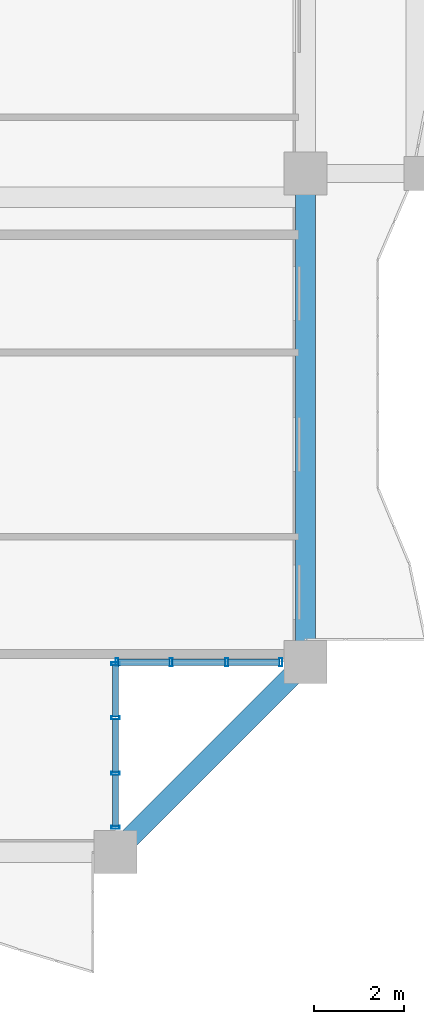
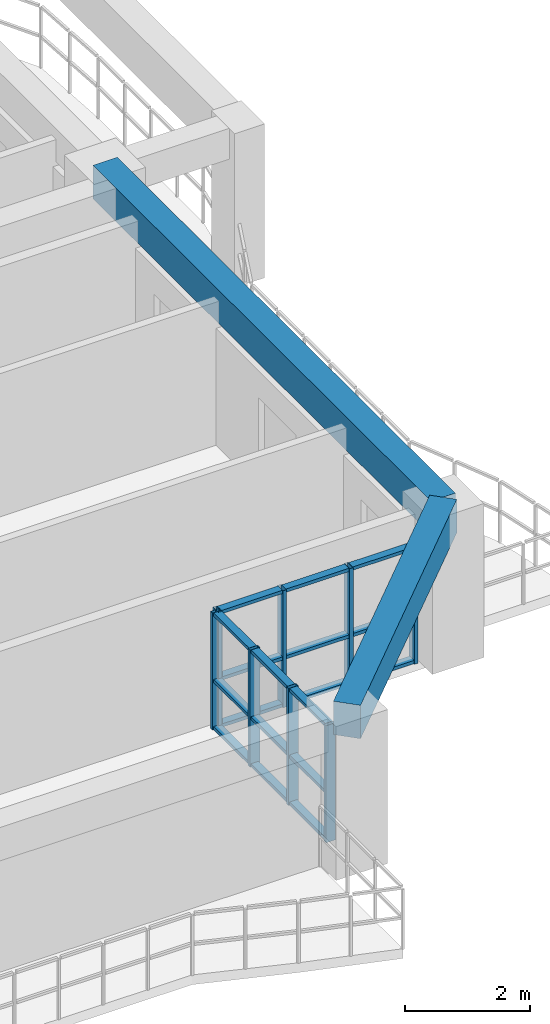
# One storey, part 4 of 24: 26 members, 2 beams, 2 elements without a shape of their own.
"""IFC4 building model written with IfcOpenShell, lengths in metres."""

from ifc_helpers import new_model, si_unit, direction, frame, origin, origin_2d, place, context, subcontext, project, spatial, rectangle, hollow_rectangle, extrude, source, transform, mapped, material, layer, layer_set, material_profile, profile_set, type_object, element, aggregate, save


model = new_model("IFC4")

# Units and contexts
model_context = context("Model", 3, precision=1e-05, world=origin(), true_north=direction((0.0, 1.0)))
body_context = subcontext(model_context, "Body", "Model", "MODEL_VIEW")
ifc_project = project(units=[si_unit("LENGTHUNIT", "METRE"), si_unit("AREAUNIT", "SQUARE_METRE"), si_unit("VOLUMEUNIT", "CUBIC_METRE"), si_unit("PLANEANGLEUNIT", "RADIAN"), si_unit("MASSUNIT", "GRAM", prefix="KILO")], contexts=[model_context])

# Site, building, storey
site_placement = place(None, origin())
site = spatial("IfcSite", under=ifc_project, at=site_placement, CompositionType="ELEMENT")
building_placement = place(site_placement, origin())
building = spatial("IfcBuilding", under=site, at=building_placement, Name="Saelheon Loggia Tower", CompositionType="ELEMENT")
storey_placement = place(building_placement, frame((0.0, 0.0, 98.85009765625)))
storey = spatial("IfcBuildingStorey", under=building, at=storey_placement, Name="L31", CompositionType="ELEMENT", Elevation=98.85009765625)

# Beams
ifc_material_1 = material(Name="Concrete C40/50", Category="concrete")
ifc_material_profile_1 = material_profile(ifc_material_1, rectangle(XDim=0.449951171875, YDim=0.64990234375, at=origin_2d()), Name="RC-450x650")
ifc_profile_set_1 = profile_set([ifc_material_profile_1], Name="Concrete C40/50")
beam_type = type_object("IfcBeamType", Name="Beam_PerimTower_RC450x650", PredefinedType="BEAM", material=ifc_profile_set_1)
shared_shape_1 = source(origin(), body_context, "Body", "SweptSolid", [
    extrude(rectangle(XDim=0.449951171875, YDim=0.64990234375, at=origin_2d()), origin(), (0.0, 0.0, 1.0), 5.939697265625),
])
beam_1_placement = place(storey_placement, frame((59.800048828125, 3.0, 2.6748046875), z_axis=(0.707106781187, 0.707106781187, 0.0), x_axis=(-0.707106781187, 0.707106781187, 0.0)))
element("IfcBeam", 1, at=beam_1_placement, inside=storey, type_object=beam_type, Name="L31 Perimeter Frame Girder 04", PredefinedType="BEAM", context=body_context, shape_type="MappedRepresentation", body=[
    mapped(shared_shape_1, transform((0.0, 0.0, 0.0), scale=1.0)),
])
shared_shape_2 = source(origin(), body_context, "Body", "SweptSolid", [
    extrude(rectangle(XDim=0.449951171875, YDim=0.64990234375, at=origin_2d()), origin(), (0.0, 0.0, 1.0), 10.800048828125),
])
beam_2_placement = place(storey_placement, frame((64.0, 7.199951171875, 2.6748046875), z_axis=(0.0, 1.0, 0.0), x_axis=(-1.0, 0.0, 0.0)))
element("IfcBeam", 2, at=beam_2_placement, inside=storey, type_object=beam_type, Name="L31 Perimeter Frame Girder 05", PredefinedType="BEAM", context=body_context, shape_type="MappedRepresentation", body=[
    mapped(shared_shape_2, transform((0.0, 0.0, 0.0), scale=1.0)),
])

# Curtain wall, members
ifc_material_2 = material(Name="Thermal-Break Aluminium and Triple Low-E Glass", Category="aluminium")
ifc_layer = layer(ifc_material_2, 0.159912109375)
ifc_layer_set = layer_set([ifc_layer], Name="Thermal-Break Aluminium and Triple Low-E Glass")
curtain_wall_type = type_object("IfcCurtainWallType", Name="CW_TowerLoggiaLow", PredefinedType="NOTDEFINED", material=ifc_layer_set)
curtain_wall_1_placement = place(storey_placement, origin())
curtain_wall_1 = element("IfcCurtainWall", 3, at=curtain_wall_1_placement, inside=storey, type_object=curtain_wall_type, Name="L31 Corner Notch Glazing SE1", PredefinedType="NOTDEFINED")
ifc_material_3 = material(Name="Anodised Aluminium 6063-T6", Category="aluminium")
ifc_material_profile_2 = material_profile(ifc_material_3, hollow_rectangle(XDim=0.06494140625, YDim=0.179931640625, WallThickness=0.00390625, at=origin_2d()), Name="RHS-180x65x4")
ifc_profile_set_2 = profile_set([ifc_material_profile_2], Name="Anodised Aluminium 6063-T6")
member_type_1 = type_object("IfcMemberType", Name="CW_TowerLoggiaLow_Mullion", PredefinedType="MULLION", material=ifc_profile_set_2)
shared_shape_3 = source(origin(), body_context, "Body", "SweptSolid", [
    extrude(hollow_rectangle(XDim=0.06494140625, YDim=0.179931640625, WallThickness=0.00390625, at=origin_2d()), origin(), (0.0, 0.0, 1.0), 2.27978515625),
])
member_1_placement = place(storey_placement, frame((59.800048828125, 3.547607421875, 0.0), z_axis=(0.0, 0.0, 1.0), x_axis=(0.0, 1.0, 0.0)))
member_1 = element("IfcMember", 4, at=member_1_placement, type_object=member_type_1, Name="CW3 mullion 1", PredefinedType="MULLION", context=body_context, shape_type="MappedRepresentation", body=[
    mapped(shared_shape_3, transform((0.0, 0.0, 0.0), scale=1.0)),
])
member_2_placement = place(storey_placement, frame((59.800048828125, 4.743408203125, 0.0), z_axis=(0.0, 0.0, 1.0), x_axis=(0.0, 1.0, 0.0)))
member_2 = element("IfcMember", 5, at=member_2_placement, type_object=member_type_1, Name="CW3 mullion 2", PredefinedType="MULLION", context=body_context, shape_type="MappedRepresentation", body=[
    mapped(shared_shape_3, transform((0.0, 0.0, 0.0), scale=1.0)),
])
member_3_placement = place(storey_placement, frame((59.800048828125, 5.9716796875, 0.0), z_axis=(0.0, 0.0, 1.0), x_axis=(0.0, 1.0, 0.0)))
member_3 = element("IfcMember", 6, at=member_3_placement, type_object=member_type_1, Name="CW3 mullion 3", PredefinedType="MULLION", context=body_context, shape_type="MappedRepresentation", body=[
    mapped(shared_shape_3, transform((0.0, 0.0, 0.0), scale=1.0)),
])
member_4_placement = place(storey_placement, frame((59.800048828125, 7.16748046875, 0.0), z_axis=(0.0, 0.0, 1.0), x_axis=(0.0, 1.0, 0.0)))
member_4 = element("IfcMember", 7, at=member_4_placement, type_object=member_type_1, Name="CW3 mullion 4", PredefinedType="MULLION", context=body_context, shape_type="MappedRepresentation", body=[
    mapped(shared_shape_3, transform((0.0, 0.0, 0.0), scale=1.0)),
])

curtain_wall_2_placement = place(storey_placement, origin())
curtain_wall_2 = element("IfcCurtainWall", 8, at=curtain_wall_2_placement, inside=storey, type_object=curtain_wall_type, Name="L31 Corner Notch Glazing SE2", PredefinedType="NOTDEFINED")
member_5_placement = place(storey_placement, frame((59.83251953125, 7.199951171875, 0.0), z_axis=(0.0, 0.0, 1.0), x_axis=(1.0, 0.0, 0.0)))
member_5 = element("IfcMember", 9, at=member_5_placement, type_object=member_type_1, Name="CW3 mullion 1", PredefinedType="MULLION", context=body_context, shape_type="MappedRepresentation", body=[
    mapped(shared_shape_3, transform((0.0, 0.0, 0.0), scale=1.0)),
])
member_6_placement = place(storey_placement, frame((61.0283203125, 7.199951171875, 0.0), z_axis=(0.0, 0.0, 1.0), x_axis=(1.0, 0.0, 0.0)))
member_6 = element("IfcMember", 10, at=member_6_placement, type_object=member_type_1, Name="CW3 mullion 2", PredefinedType="MULLION", context=body_context, shape_type="MappedRepresentation", body=[
    mapped(shared_shape_3, transform((0.0, 0.0, 0.0), scale=1.0)),
])
member_7_placement = place(storey_placement, frame((62.256591796875, 7.199951171875, 0.0), z_axis=(0.0, 0.0, 1.0), x_axis=(1.0, 0.0, 0.0)))
member_7 = element("IfcMember", 11, at=member_7_placement, type_object=member_type_1, Name="CW3 mullion 3", PredefinedType="MULLION", context=body_context, shape_type="MappedRepresentation", body=[
    mapped(shared_shape_3, transform((0.0, 0.0, 0.0), scale=1.0)),
])
member_8_placement = place(storey_placement, frame((63.452392578125, 7.199951171875, 0.0), z_axis=(0.0, 0.0, 1.0), x_axis=(1.0, 0.0, 0.0)))
member_8 = element("IfcMember", 12, at=member_8_placement, type_object=member_type_1, Name="CW3 mullion 4", PredefinedType="MULLION", context=body_context, shape_type="MappedRepresentation", body=[
    mapped(shared_shape_3, transform((0.0, 0.0, 0.0), scale=1.0)),
])

# Member
ifc_material_profile_3 = material_profile(ifc_material_3, hollow_rectangle(XDim=0.06494140625, YDim=0.139892578125, WallThickness=0.00390625, at=origin_2d()), Name="RHS-140x65x4")
ifc_profile_set_3 = profile_set([ifc_material_profile_3], Name="Anodised Aluminium 6063-T6")
member_type_2 = type_object("IfcMemberType", Name="CW_TowerLoggiaLow_Transom", PredefinedType="USERDEFINED", material=ifc_profile_set_3)
shared_shape_4 = source(origin(), body_context, "Body", "SweptSolid", [
    extrude(hollow_rectangle(XDim=0.06494140625, YDim=0.139892578125, WallThickness=0.00390625, at=origin_2d()), origin(), (0.0, 0.0, 1.0), 1.130859375),
])
member_9_placement = place(storey_placement, frame((59.800048828125, 3.580078125, 0.032470703125), z_axis=(0.0, 1.0, 0.0), x_axis=(0.0, 0.0, 1.0)))
member_9 = element("IfcMember", 13, at=member_9_placement, type_object=member_type_2, Name="CW3 transom 1.1", ObjectType="TRANSOM", PredefinedType="USERDEFINED", context=body_context, shape_type="MappedRepresentation", body=[
    mapped(shared_shape_4, transform((0.0, 0.0, 0.0), scale=1.0)),
])

member_10_placement = place(storey_placement, frame((59.800048828125, 3.580078125, 0.949951171875), z_axis=(0.0, 1.0, 0.0), x_axis=(0.0, 0.0, 1.0)))
member_10 = element("IfcMember", 14, at=member_10_placement, type_object=member_type_2, Name="CW3 transom 1.2", ObjectType="TRANSOM", PredefinedType="USERDEFINED", context=body_context, shape_type="MappedRepresentation", body=[
    mapped(shared_shape_4, transform((0.0, 0.0, 0.0), scale=1.0)),
])

member_11_placement = place(storey_placement, frame((59.800048828125, 3.580078125, 2.247314453125), z_axis=(0.0, 1.0, 0.0), x_axis=(0.0, 0.0, 1.0)))
member_11 = element("IfcMember", 15, at=member_11_placement, type_object=member_type_2, Name="CW3 transom 1.3", ObjectType="TRANSOM", PredefinedType="USERDEFINED", context=body_context, shape_type="MappedRepresentation", body=[
    mapped(shared_shape_4, transform((0.0, 0.0, 0.0), scale=1.0)),
])

member_12_placement = place(storey_placement, frame((59.800048828125, 6.004150390625, 0.032470703125), z_axis=(0.0, 1.0, 0.0), x_axis=(0.0, 0.0, 1.0)))
member_12 = element("IfcMember", 16, at=member_12_placement, type_object=member_type_2, Name="CW3 transom 3.1", ObjectType="TRANSOM", PredefinedType="USERDEFINED", context=body_context, shape_type="MappedRepresentation", body=[
    mapped(shared_shape_4, transform((0.0, 0.0, 0.0), scale=1.0)),
])

member_13_placement = place(storey_placement, frame((59.800048828125, 6.004150390625, 0.949951171875), z_axis=(0.0, 1.0, 0.0), x_axis=(0.0, 0.0, 1.0)))
member_13 = element("IfcMember", 17, at=member_13_placement, type_object=member_type_2, Name="CW3 transom 3.2", ObjectType="TRANSOM", PredefinedType="USERDEFINED", context=body_context, shape_type="MappedRepresentation", body=[
    mapped(shared_shape_4, transform((0.0, 0.0, 0.0), scale=1.0)),
])

member_14_placement = place(storey_placement, frame((59.800048828125, 6.004150390625, 2.247314453125), z_axis=(0.0, 1.0, 0.0), x_axis=(0.0, 0.0, 1.0)))
member_14 = element("IfcMember", 18, at=member_14_placement, type_object=member_type_2, Name="CW3 transom 3.3", ObjectType="TRANSOM", PredefinedType="USERDEFINED", context=body_context, shape_type="MappedRepresentation", body=[
    mapped(shared_shape_4, transform((0.0, 0.0, 0.0), scale=1.0)),
])

member_15_placement = place(storey_placement, frame((59.864990234375, 7.199951171875, 0.032470703125), z_axis=(1.0, 0.0, 0.0), x_axis=(0.0, 0.0, 1.0)))
member_15 = element("IfcMember", 19, at=member_15_placement, type_object=member_type_2, Name="CW3 transom 1.1", ObjectType="TRANSOM", PredefinedType="USERDEFINED", context=body_context, shape_type="MappedRepresentation", body=[
    mapped(shared_shape_4, transform((0.0, 0.0, 0.0), scale=1.0)),
])

member_16_placement = place(storey_placement, frame((59.864990234375, 7.199951171875, 0.949951171875), z_axis=(1.0, 0.0, 0.0), x_axis=(0.0, 0.0, 1.0)))
member_16 = element("IfcMember", 20, at=member_16_placement, type_object=member_type_2, Name="CW3 transom 1.2", ObjectType="TRANSOM", PredefinedType="USERDEFINED", context=body_context, shape_type="MappedRepresentation", body=[
    mapped(shared_shape_4, transform((0.0, 0.0, 0.0), scale=1.0)),
])

member_17_placement = place(storey_placement, frame((59.864990234375, 7.199951171875, 2.247314453125), z_axis=(1.0, 0.0, 0.0), x_axis=(0.0, 0.0, 1.0)))
member_17 = element("IfcMember", 21, at=member_17_placement, type_object=member_type_2, Name="CW3 transom 1.3", ObjectType="TRANSOM", PredefinedType="USERDEFINED", context=body_context, shape_type="MappedRepresentation", body=[
    mapped(shared_shape_4, transform((0.0, 0.0, 0.0), scale=1.0)),
])

member_18_placement = place(storey_placement, frame((62.2890625, 7.199951171875, 0.032470703125), z_axis=(1.0, 0.0, 0.0), x_axis=(0.0, 0.0, 1.0)))
member_18 = element("IfcMember", 22, at=member_18_placement, type_object=member_type_2, Name="CW3 transom 3.1", ObjectType="TRANSOM", PredefinedType="USERDEFINED", context=body_context, shape_type="MappedRepresentation", body=[
    mapped(shared_shape_4, transform((0.0, 0.0, 0.0), scale=1.0)),
])

member_19_placement = place(storey_placement, frame((62.2890625, 7.199951171875, 0.949951171875), z_axis=(1.0, 0.0, 0.0), x_axis=(0.0, 0.0, 1.0)))
member_19 = element("IfcMember", 23, at=member_19_placement, type_object=member_type_2, Name="CW3 transom 3.2", ObjectType="TRANSOM", PredefinedType="USERDEFINED", context=body_context, shape_type="MappedRepresentation", body=[
    mapped(shared_shape_4, transform((0.0, 0.0, 0.0), scale=1.0)),
])

member_20_placement = place(storey_placement, frame((62.2890625, 7.199951171875, 2.247314453125), z_axis=(1.0, 0.0, 0.0), x_axis=(0.0, 0.0, 1.0)))
member_20 = element("IfcMember", 24, at=member_20_placement, type_object=member_type_2, Name="CW3 transom 3.3", ObjectType="TRANSOM", PredefinedType="USERDEFINED", context=body_context, shape_type="MappedRepresentation", body=[
    mapped(shared_shape_4, transform((0.0, 0.0, 0.0), scale=1.0)),
])

shared_shape_5 = source(origin(), body_context, "Body", "SweptSolid", [
    extrude(hollow_rectangle(XDim=0.06494140625, YDim=0.139892578125, WallThickness=0.00390625, at=origin_2d()), origin(), (0.0, 0.0, 1.0), 1.163330078125),
])
member_21_placement = place(storey_placement, frame((59.800048828125, 4.77587890625, 0.032470703125), z_axis=(0.0, 1.0, 0.0), x_axis=(0.0, 0.0, 1.0)))
member_21 = element("IfcMember", 25, at=member_21_placement, type_object=member_type_2, Name="CW3 transom 2.1", ObjectType="TRANSOM", PredefinedType="USERDEFINED", context=body_context, shape_type="MappedRepresentation", body=[
    mapped(shared_shape_5, transform((0.0, 0.0, 0.0), scale=1.0)),
])

member_22_placement = place(storey_placement, frame((59.800048828125, 4.77587890625, 0.949951171875), z_axis=(0.0, 1.0, 0.0), x_axis=(0.0, 0.0, 1.0)))
member_22 = element("IfcMember", 26, at=member_22_placement, type_object=member_type_2, Name="CW3 transom 2.2", ObjectType="TRANSOM", PredefinedType="USERDEFINED", context=body_context, shape_type="MappedRepresentation", body=[
    mapped(shared_shape_5, transform((0.0, 0.0, 0.0), scale=1.0)),
])

member_23_placement = place(storey_placement, frame((59.800048828125, 4.77587890625, 2.247314453125), z_axis=(0.0, 1.0, 0.0), x_axis=(0.0, 0.0, 1.0)))
member_23 = element("IfcMember", 27, at=member_23_placement, type_object=member_type_2, Name="CW3 transom 2.3", ObjectType="TRANSOM", PredefinedType="USERDEFINED", context=body_context, shape_type="MappedRepresentation", body=[
    mapped(shared_shape_5, transform((0.0, 0.0, 0.0), scale=1.0)),
])

aggregate(curtain_wall_1, [member_1, member_2, member_3, member_4, member_9, member_10, member_11, member_21, member_22, member_23, member_12, member_13, member_14])

member_24_placement = place(storey_placement, frame((61.060791015625, 7.199951171875, 0.032470703125), z_axis=(1.0, 0.0, 0.0), x_axis=(0.0, 0.0, 1.0)))
member_24 = element("IfcMember", 28, at=member_24_placement, type_object=member_type_2, Name="CW3 transom 2.1", ObjectType="TRANSOM", PredefinedType="USERDEFINED", context=body_context, shape_type="MappedRepresentation", body=[
    mapped(shared_shape_5, transform((0.0, 0.0, 0.0), scale=1.0)),
])

member_25_placement = place(storey_placement, frame((61.060791015625, 7.199951171875, 0.949951171875), z_axis=(1.0, 0.0, 0.0), x_axis=(0.0, 0.0, 1.0)))
member_25 = element("IfcMember", 29, at=member_25_placement, type_object=member_type_2, Name="CW3 transom 2.2", ObjectType="TRANSOM", PredefinedType="USERDEFINED", context=body_context, shape_type="MappedRepresentation", body=[
    mapped(shared_shape_5, transform((0.0, 0.0, 0.0), scale=1.0)),
])

member_26_placement = place(storey_placement, frame((61.060791015625, 7.199951171875, 2.247314453125), z_axis=(1.0, 0.0, 0.0), x_axis=(0.0, 0.0, 1.0)))
member_26 = element("IfcMember", 30, at=member_26_placement, type_object=member_type_2, Name="CW3 transom 2.3", ObjectType="TRANSOM", PredefinedType="USERDEFINED", context=body_context, shape_type="MappedRepresentation", body=[
    mapped(shared_shape_5, transform((0.0, 0.0, 0.0), scale=1.0)),
])

aggregate(curtain_wall_2, [member_5, member_6, member_7, member_8, member_15, member_16, member_17, member_24, member_25, member_26, member_18, member_19, member_20])

save(model, "model.ifc")
